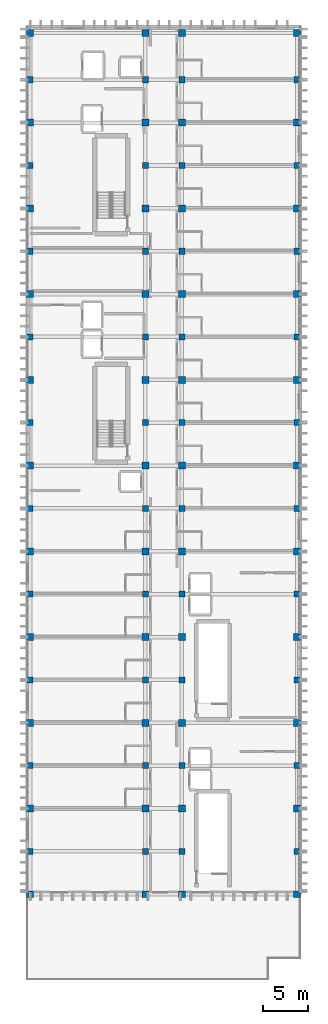
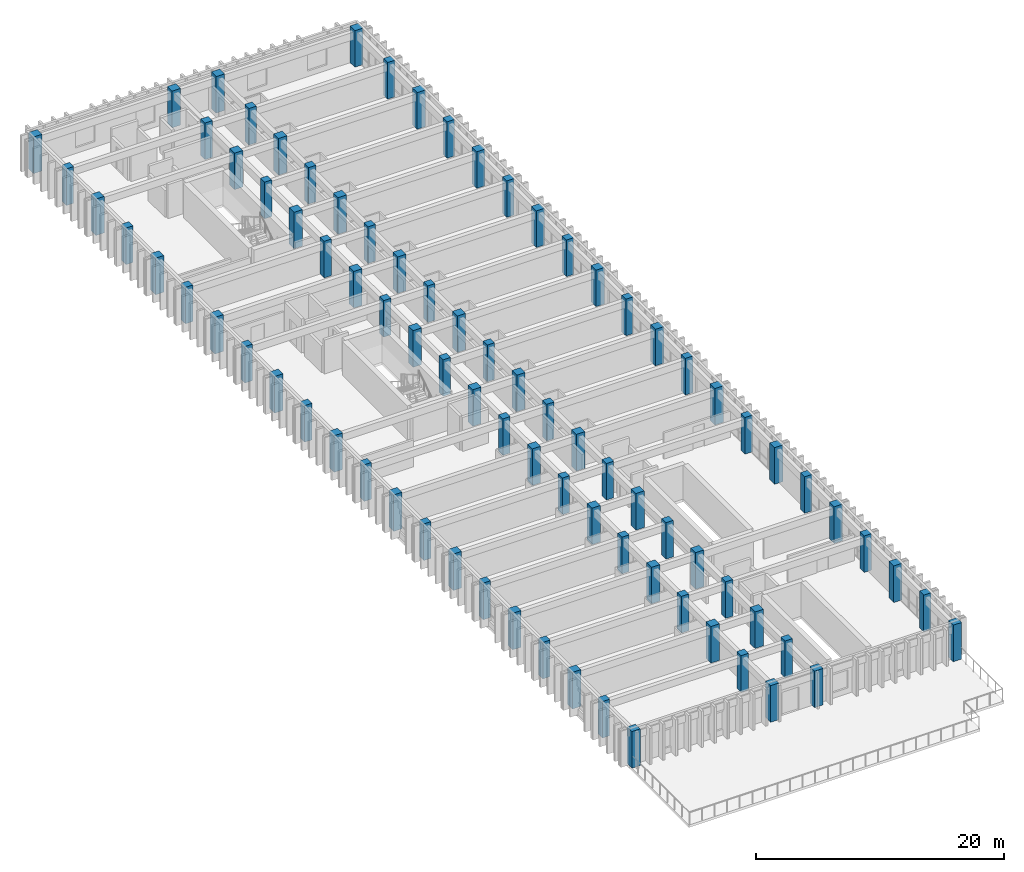
# One storey, part 1 of 68: 84 columns.
"""IFC4 building model written with IfcOpenShell, lengths in metres."""

from ifc_helpers import new_model, si_unit, direction, frame, origin, origin_2d, place, context, subcontext, project, spatial, rectangle, extrude, material, material_profile, profile_set, type_object, element, save


model = new_model("IFC4")

# Units and contexts
model_context = context("Model", 3, precision=1e-05, world=origin(), true_north=direction((0.0, 1.0)))
body_context = subcontext(model_context, "Body", "Model", "MODEL_VIEW")
ifc_project = project(units=[si_unit("LENGTHUNIT", "METRE"), si_unit("AREAUNIT", "SQUARE_METRE"), si_unit("VOLUMEUNIT", "CUBIC_METRE"), si_unit("PLANEANGLEUNIT", "RADIAN"), si_unit("MASSUNIT", "GRAM", prefix="KILO")], contexts=[model_context])

# Site, building, storey
site_placement = place(None, origin())
site = spatial("IfcSite", under=ifc_project, at=site_placement, CompositionType="ELEMENT")
building_placement = place(site_placement, origin())
building = spatial("IfcBuilding", under=site, at=building_placement, Name="Nakhvara Creek Congress Hotel", CompositionType="ELEMENT")
storey_placement = place(building_placement, frame((0.0, 0.0, 24.60009765625)))
storey = spatial("IfcBuildingStorey", under=building, at=storey_placement, Name="L05", CompositionType="ELEMENT", Elevation=24.60009765625)

# Columns
ifc_material = material(Name="Concrete C50/60", Category="concrete")
ifc_material_profile_1 = material_profile(ifc_material, rectangle(XDim=0.679931640625, YDim=0.679931640625, at=origin_2d()), Name="RC-COL 680x680", Category="LoadBearing")
ifc_profile_set_1 = profile_set([ifc_material_profile_1], Name="Concrete C50/60")
column_type_1 = type_object("IfcColumnType", Name="COL-RC-680", PredefinedType="COLUMN", material=ifc_profile_set_1)
for number, where, z_axis, x_axis, name in (
    (1, (149.449951171875, 33.60009765625, 0.0), (0.0, 0.0, 1.0), (1.0, 0.0, 0.0), "Column C21-L05-1511"),
    (2, (149.449951171875, 43.199951171875, 0.0), (0.0, 0.0, 1.0), (1.0, 0.0, 0.0), "Column C21-L05-1512"),
    (3, (149.449951171875, 52.800048828125, 0.0), (0.0, 0.0, 1.0), (1.0, 0.0, 0.0), "Column C21-L05-1513"),
    (4, (149.449951171875, 62.39990234375, 0.0), (0.0, 0.0, 1.0), (1.0, 0.0, 0.0), "Column C21-L05-1514"),
    (5, (149.449951171875, 72.0, 0.0), (0.0, 0.0, 1.0), (1.0, 0.0, 0.0), "Column C21-L05-1515"),
    (6, (149.449951171875, 81.60009765625, 0.0), (0.0, 0.0, 1.0), (1.0, 0.0, 0.0), "Column C21-L05-1516"),
    (7, (149.449951171875, 91.199951171875, 0.0), (0.0, 0.0, 1.0), (1.0, 0.0, 0.0), "Column C21-L05-1517"),
    (8, (149.449951171875, 100.800048828125, 0.0), (0.0, 0.0, 1.0), (1.0, 0.0, 0.0), "Column C21-L05-1518"),
    (9, (149.449951171875, 110.39990234375, 0.0), (0.0, 0.0, 1.0), (1.0, 0.0, 0.0), "Column C21-L05-1519"),
    (10, (149.449951171875, 120.0, 0.0), (0.0, 0.0, 1.0), (1.0, 0.0, 0.0), "Column C21-L05-1520"),
    (11, (162.35009765625, 33.60009765625, 0.0), (0.0, 0.0, 1.0), (1.0, 0.0, 0.0), "Column C21-L05-1521"),
    (12, (162.35009765625, 43.199951171875, 0.0), (0.0, 0.0, 1.0), (1.0, 0.0, 0.0), "Column C21-L05-1522"),
    (13, (162.35009765625, 52.800048828125, 0.0), (0.0, 0.0, 1.0), (1.0, 0.0, 0.0), "Column C21-L05-1523"),
    (14, (162.35009765625, 62.39990234375, 0.0), (0.0, 0.0, 1.0), (1.0, 0.0, 0.0), "Column C21-L05-1524"),
    (15, (162.35009765625, 72.0, 0.0), (0.0, 0.0, 1.0), (1.0, 0.0, 0.0), "Column C21-L05-1525"),
    (16, (162.35009765625, 81.60009765625, 0.0), (0.0, 0.0, 1.0), (1.0, 0.0, 0.0), "Column C21-L05-1526"),
    (17, (162.35009765625, 91.199951171875, 0.0), (0.0, 0.0, 1.0), (1.0, 0.0, 0.0), "Column C21-L05-1527"),
    (18, (162.35009765625, 100.800048828125, 0.0), (0.0, 0.0, 1.0), (1.0, 0.0, 0.0), "Column C21-L05-1528"),
    (19, (162.35009765625, 110.39990234375, 0.0), (0.0, 0.0, 1.0), (1.0, 0.0, 0.0), "Column C21-L05-1529"),
    (20, (162.35009765625, 120.0, 0.0), (0.0, 0.0, 1.0), (1.0, 0.0, 0.0), "Column C21-L05-1530"),
    (21, (166.449951171875, 33.60009765625, 0.0), (0.0, 0.0, 1.0), (1.0, 0.0, 0.0), "Column C21-L05-1531"),
    (22, (166.449951171875, 43.199951171875, 0.0), (0.0, 0.0, 1.0), (1.0, 0.0, 0.0), "Column C21-L05-1532"),
    (23, (166.449951171875, 52.800048828125, 0.0), (0.0, 0.0, 1.0), (1.0, 0.0, 0.0), "Column C21-L05-1533"),
    (24, (166.449951171875, 62.39990234375, 0.0), (0.0, 0.0, 1.0), (1.0, 0.0, 0.0), "Column C21-L05-1534"),
    (25, (166.449951171875, 72.0, 0.0), (0.0, 0.0, 1.0), (1.0, 0.0, 0.0), "Column C21-L05-1535"),
    (26, (166.449951171875, 81.60009765625, 0.0), (0.0, 0.0, 1.0), (1.0, 0.0, 0.0), "Column C21-L05-1536"),
    (27, (166.449951171875, 91.199951171875, 0.0), (0.0, 0.0, 1.0), (1.0, 0.0, 0.0), "Column C21-L05-1537"),
    (28, (166.449951171875, 100.800048828125, 0.0), (0.0, 0.0, 1.0), (1.0, 0.0, 0.0), "Column C21-L05-1538"),
    (29, (166.449951171875, 110.39990234375, 0.0), (0.0, 0.0, 1.0), (1.0, 0.0, 0.0), "Column C21-L05-1539"),
    (30, (166.449951171875, 120.0, 0.0), (0.0, 0.0, 1.0), (1.0, 0.0, 0.0), "Column C21-L05-1540"),
    (31, (179.35009765625, 33.60009765625, 0.0), (0.0, 0.0, 1.0), (1.0, 0.0, 0.0), "Column C21-L05-1541"),
    (32, (179.35009765625, 43.199951171875, 0.0), (0.0, 0.0, 1.0), (1.0, 0.0, 0.0), "Column C21-L05-1542"),
    (33, (179.35009765625, 52.800048828125, 0.0), (0.0, 0.0, 1.0), (1.0, 0.0, 0.0), "Column C21-L05-1543"),
    (34, (179.35009765625, 62.39990234375, 0.0), (0.0, 0.0, 1.0), (1.0, 0.0, 0.0), "Column C21-L05-1544"),
    (35, (179.35009765625, 72.0, 0.0), (0.0, 0.0, 1.0), (1.0, 0.0, 0.0), "Column C21-L05-1545"),
    (36, (179.35009765625, 81.60009765625, 0.0), (0.0, 0.0, 1.0), (1.0, 0.0, 0.0), "Column C21-L05-1546"),
    (37, (179.35009765625, 91.199951171875, 0.0), (0.0, 0.0, 1.0), (1.0, 0.0, 0.0), "Column C21-L05-1547"),
    (38, (179.35009765625, 100.800048828125, 0.0), (0.0, 0.0, 1.0), (1.0, 0.0, 0.0), "Column C21-L05-1548"),
    (39, (179.35009765625, 110.39990234375, 0.0), (0.0, 0.0, 1.0), (1.0, 0.0, 0.0), "Column C21-L05-1549"),
    (40, (179.35009765625, 120.0, 0.0), (0.0, 0.0, 1.0), (1.0, 0.0, 0.0), "Column C21-L05-1550"),
):
    element("IfcColumn", number, at=place(storey_placement, frame(where, z_axis=z_axis, x_axis=x_axis)), inside=storey, type_object=column_type_1, Name=name, PredefinedType="COLUMN", context=body_context, shape_type="SweptSolid", body=[
        extrude(rectangle(XDim=0.679931640625, YDim=0.679931640625, at=origin_2d()), origin(), (0.0, 0.0, 1.0), 3.599853515625),
    ])
ifc_material_profile_2 = material_profile(ifc_material, rectangle(XDim=0.780029296875, YDim=0.780029296875, at=origin_2d()), Name="RC-COL 780x780", Category="LoadBearing")
ifc_profile_set_2 = profile_set([ifc_material_profile_2], Name="Concrete C50/60")
column_type_2 = type_object("IfcColumnType", Name="COL-RC-780", PredefinedType="COLUMN", material=ifc_profile_set_2)
for number, where, z_axis, x_axis, name in (
    (41, (149.449951171875, 28.800048828125, 0.0), (0.0, 0.0, 1.0), (1.0, 0.0, 0.0), "Column C19-L05-1467"),
    (42, (149.449951171875, 38.39990234375, 0.0), (0.0, 0.0, 1.0), (1.0, 0.0, 0.0), "Column C19-L05-1468"),
    (43, (149.449951171875, 48.0, 0.0), (0.0, 0.0, 1.0), (1.0, 0.0, 0.0), "Column C19-L05-1469"),
    (44, (149.449951171875, 57.60009765625, 0.0), (0.0, 0.0, 1.0), (1.0, 0.0, 0.0), "Column C19-L05-1470"),
    (45, (149.449951171875, 67.199951171875, 0.0), (0.0, 0.0, 1.0), (1.0, 0.0, 0.0), "Column C19-L05-1471"),
    (46, (149.449951171875, 76.800048828125, 0.0), (0.0, 0.0, 1.0), (1.0, 0.0, 0.0), "Column C19-L05-1472"),
    (47, (149.449951171875, 86.39990234375, 0.0), (0.0, 0.0, 1.0), (1.0, 0.0, 0.0), "Column C19-L05-1473"),
    (48, (149.449951171875, 96.0, 0.0), (0.0, 0.0, 1.0), (1.0, 0.0, 0.0), "Column C19-L05-1474"),
    (49, (149.449951171875, 105.60009765625, 0.0), (0.0, 0.0, 1.0), (1.0, 0.0, 0.0), "Column C19-L05-1475"),
    (50, (149.449951171875, 115.199951171875, 0.0), (0.0, 0.0, 1.0), (1.0, 0.0, 0.0), "Column C19-L05-1476"),
    (51, (149.449951171875, 125.25, 0.0), (0.0, 0.0, 1.0), (1.0, 0.0, 0.0), "Column C19-L05-1477"),
    (52, (162.35009765625, 28.800048828125, 0.0), (0.0, 0.0, 1.0), (1.0, 0.0, 0.0), "Column C19-L05-1478"),
    (53, (162.35009765625, 38.39990234375, 0.0), (0.0, 0.0, 1.0), (1.0, 0.0, 0.0), "Column C19-L05-1479"),
    (54, (162.35009765625, 48.0, 0.0), (0.0, 0.0, 1.0), (1.0, 0.0, 0.0), "Column C19-L05-1480"),
    (55, (162.35009765625, 57.60009765625, 0.0), (0.0, 0.0, 1.0), (1.0, 0.0, 0.0), "Column C19-L05-1481"),
    (56, (162.35009765625, 67.199951171875, 0.0), (0.0, 0.0, 1.0), (1.0, 0.0, 0.0), "Column C19-L05-1482"),
    (57, (162.35009765625, 76.800048828125, 0.0), (0.0, 0.0, 1.0), (1.0, 0.0, 0.0), "Column C19-L05-1483"),
    (58, (162.35009765625, 86.39990234375, 0.0), (0.0, 0.0, 1.0), (1.0, 0.0, 0.0), "Column C19-L05-1484"),
    (59, (162.35009765625, 96.0, 0.0), (0.0, 0.0, 1.0), (1.0, 0.0, 0.0), "Column C19-L05-1485"),
    (60, (162.35009765625, 105.60009765625, 0.0), (0.0, 0.0, 1.0), (1.0, 0.0, 0.0), "Column C19-L05-1486"),
    (61, (162.35009765625, 115.199951171875, 0.0), (0.0, 0.0, 1.0), (1.0, 0.0, 0.0), "Column C19-L05-1487"),
    (62, (162.35009765625, 125.25, 0.0), (0.0, 0.0, 1.0), (1.0, 0.0, 0.0), "Column C19-L05-1488"),
    (63, (166.449951171875, 28.800048828125, 0.0), (0.0, 0.0, 1.0), (1.0, 0.0, 0.0), "Column C19-L05-1489"),
    (64, (166.449951171875, 38.39990234375, 0.0), (0.0, 0.0, 1.0), (1.0, 0.0, 0.0), "Column C19-L05-1490"),
    (65, (166.449951171875, 48.0, 0.0), (0.0, 0.0, 1.0), (1.0, 0.0, 0.0), "Column C19-L05-1491"),
    (66, (166.449951171875, 57.60009765625, 0.0), (0.0, 0.0, 1.0), (1.0, 0.0, 0.0), "Column C19-L05-1492"),
    (67, (166.449951171875, 67.199951171875, 0.0), (0.0, 0.0, 1.0), (1.0, 0.0, 0.0), "Column C19-L05-1493"),
    (68, (166.449951171875, 76.800048828125, 0.0), (0.0, 0.0, 1.0), (1.0, 0.0, 0.0), "Column C19-L05-1494"),
    (69, (166.449951171875, 86.39990234375, 0.0), (0.0, 0.0, 1.0), (1.0, 0.0, 0.0), "Column C19-L05-1495"),
    (70, (166.449951171875, 96.0, 0.0), (0.0, 0.0, 1.0), (1.0, 0.0, 0.0), "Column C19-L05-1496"),
    (71, (166.449951171875, 105.60009765625, 0.0), (0.0, 0.0, 1.0), (1.0, 0.0, 0.0), "Column C19-L05-1497"),
    (72, (166.449951171875, 115.199951171875, 0.0), (0.0, 0.0, 1.0), (1.0, 0.0, 0.0), "Column C19-L05-1498"),
    (73, (166.449951171875, 125.25, 0.0), (0.0, 0.0, 1.0), (1.0, 0.0, 0.0), "Column C19-L05-1499"),
    (74, (179.35009765625, 28.800048828125, 0.0), (0.0, 0.0, 1.0), (1.0, 0.0, 0.0), "Column C19-L05-1500"),
    (75, (179.35009765625, 38.39990234375, 0.0), (0.0, 0.0, 1.0), (1.0, 0.0, 0.0), "Column C19-L05-1501"),
    (76, (179.35009765625, 48.0, 0.0), (0.0, 0.0, 1.0), (1.0, 0.0, 0.0), "Column C19-L05-1502"),
    (77, (179.35009765625, 57.60009765625, 0.0), (0.0, 0.0, 1.0), (1.0, 0.0, 0.0), "Column C19-L05-1503"),
    (78, (179.35009765625, 67.199951171875, 0.0), (0.0, 0.0, 1.0), (1.0, 0.0, 0.0), "Column C19-L05-1504"),
    (79, (179.35009765625, 76.800048828125, 0.0), (0.0, 0.0, 1.0), (1.0, 0.0, 0.0), "Column C19-L05-1505"),
    (80, (179.35009765625, 86.39990234375, 0.0), (0.0, 0.0, 1.0), (1.0, 0.0, 0.0), "Column C19-L05-1506"),
    (81, (179.35009765625, 96.0, 0.0), (0.0, 0.0, 1.0), (1.0, 0.0, 0.0), "Column C19-L05-1507"),
    (82, (179.35009765625, 105.60009765625, 0.0), (0.0, 0.0, 1.0), (1.0, 0.0, 0.0), "Column C19-L05-1508"),
    (83, (179.35009765625, 115.199951171875, 0.0), (0.0, 0.0, 1.0), (1.0, 0.0, 0.0), "Column C19-L05-1509"),
    (84, (179.35009765625, 125.25, 0.0), (0.0, 0.0, 1.0), (1.0, 0.0, 0.0), "Column C19-L05-1510"),
):
    element("IfcColumn", number, at=place(storey_placement, frame(where, z_axis=z_axis, x_axis=x_axis)), inside=storey, type_object=column_type_2, Name=name, PredefinedType="COLUMN", context=body_context, shape_type="SweptSolid", body=[
        extrude(rectangle(XDim=0.780029296875, YDim=0.780029296875, at=origin_2d()), origin(), (0.0, 0.0, 1.0), 3.599853515625),
    ])

save(model, "model.ifc")
